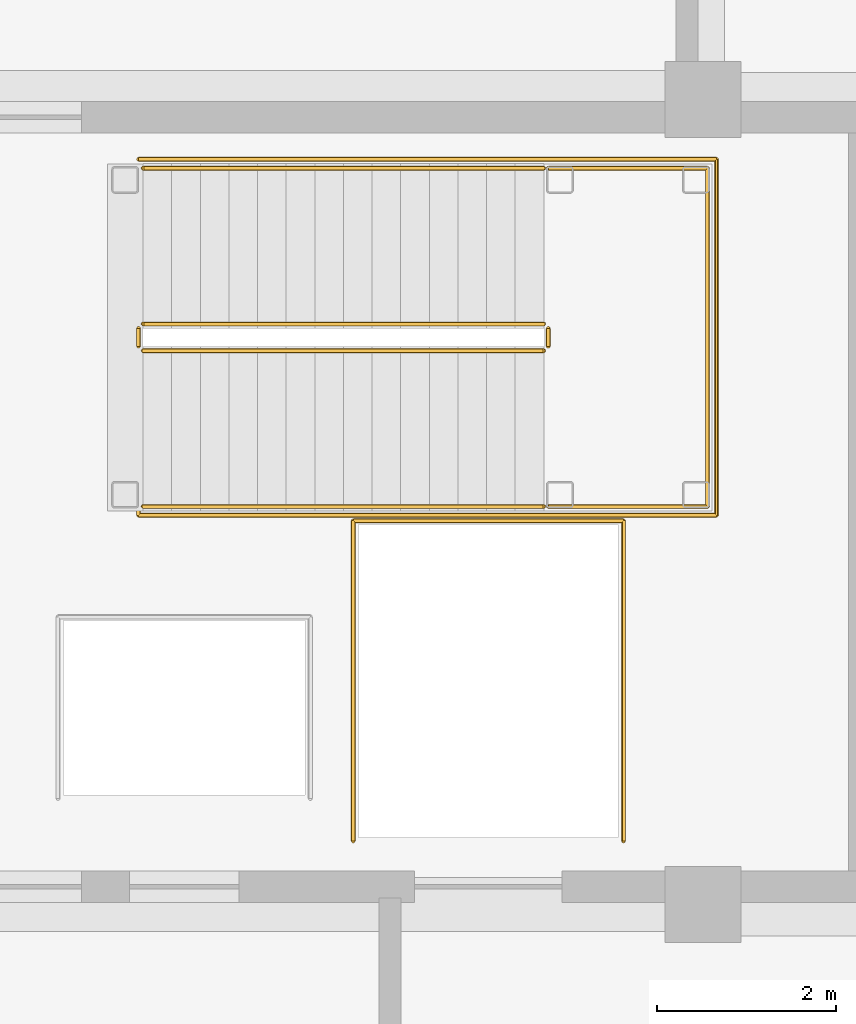
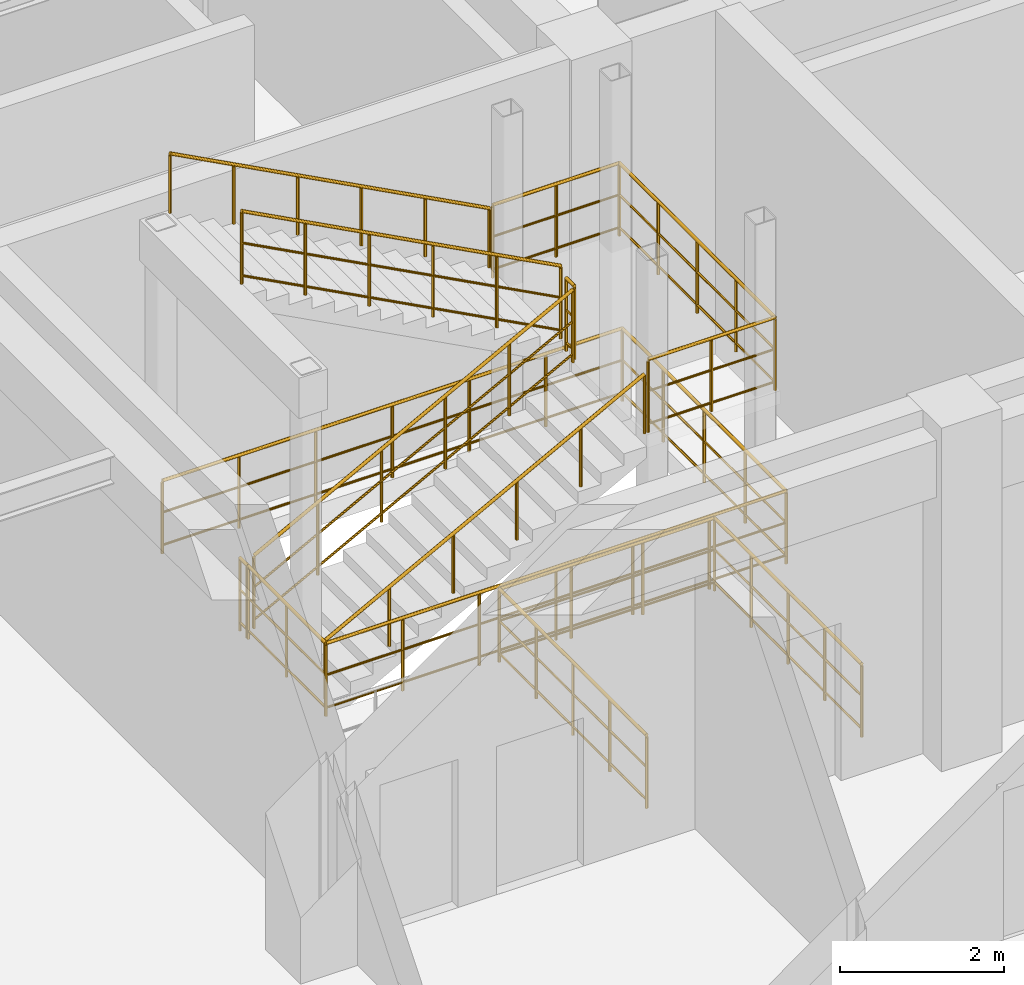
# One storey, part 125 of 128: 9 railings.
"""IFC4 building model written with IfcOpenShell, lengths in metres."""

from ifc_helpers import new_model, si_unit, direction, frame, origin, origin_2d, place, context, subcontext, project, spatial, circle, extrude, material, type_object, element, save


model = new_model("IFC4")

# Units and contexts
model_context = context("Model", 3, precision=1e-05, world=origin(), true_north=direction((0.0, 1.0)))
body_context = subcontext(model_context, "Body", "Model", "MODEL_VIEW")
ifc_project = project(units=[si_unit("LENGTHUNIT", "METRE"), si_unit("AREAUNIT", "SQUARE_METRE"), si_unit("VOLUMEUNIT", "CUBIC_METRE"), si_unit("PLANEANGLEUNIT", "RADIAN"), si_unit("MASSUNIT", "GRAM", prefix="KILO")], contexts=[model_context])

# Site, building, storey
site_placement = place(None, origin())
site = spatial("IfcSite", under=ifc_project, at=site_placement, CompositionType="ELEMENT")
building_placement = place(site_placement, origin())
building = spatial("IfcBuilding", under=site, at=building_placement, Name="Miravela Opera House", CompositionType="ELEMENT")
storey_placement = place(building_placement, origin())
storey = spatial("IfcBuildingStorey", under=building, at=storey_placement, Name="L00", CompositionType="ELEMENT", Elevation=0.0)

# Railings
ifc_material_1 = material(Name="Brushed bronze continuous stair handrail")
railing_type_1 = type_object("IfcRailingType", Name="ARC-RAIL-HAND-900", PredefinedType="HANDRAIL", material=ifc_material_1)
railing_1_placement = place(storey_placement, frame((110.739990234375, 70.449951171875, 0.169921875)))
element("IfcRailing", 1, at=railing_1_placement, inside=storey, type_object=railing_type_1, Name="L00 ST-03 stair handrail 1", PredefinedType="HANDRAIL", context=body_context, shape_type="SweptSolid", body=[
    extrude(circle(Radius=0.02392578125, at=origin_2d()), frame((0.0, 0.0, 0.8759765625), z_axis=(0.883104503341, 0.0, 0.469176338042), x_axis=(0.0, 1.0, 0.0)), (0.0, 0.0, 1.0), 5.072998046875),
    extrude(circle(Radius=0.02099609375, at=origin_2d()), origin(), (0.0, 0.0, 1.0), 0.851806640625),
    extrude(circle(Radius=0.02099609375, at=origin_2d()), frame((0.89599609375, 0.0, 0.47607421875)), (0.0, 0.0, 1.0), 0.851806640625),
    extrude(circle(Radius=0.02099609375, at=origin_2d()), frame((1.7919921875, 0.0, 0.9521484375)), (0.0, 0.0, 1.0), 0.851806640625),
    extrude(circle(Radius=0.02099609375, at=origin_2d()), frame((2.68798828125, 0.0, 1.427978515625)), (0.0, 0.0, 1.0), 0.851806640625),
    extrude(circle(Radius=0.02099609375, at=origin_2d()), frame((3.583984375, 0.0, 1.904052734375)), (0.0, 0.0, 1.0), 0.851806640625),
    extrude(circle(Radius=0.02099609375, at=origin_2d()), frame((4.47998046875, 0.0, 2.380126953125)), (0.0, 0.0, 1.0), 0.851806640625),
])
railing_2_placement = place(storey_placement, frame((115.219970703125, 74.22998046875, 2.719970703125)))
element("IfcRailing", 2, at=railing_2_placement, inside=storey, type_object=railing_type_1, Name="L00 ST-03 stair handrail 2", PredefinedType="HANDRAIL", context=body_context, shape_type="SweptSolid", body=[
    extrude(circle(Radius=0.02392578125, at=origin_2d()), frame((0.0, 0.0, 0.8759765625), z_axis=(-0.883104503341, 0.0, 0.469176338042), x_axis=(0.0, -1.0, 0.0)), (0.0, 0.0, 1.0), 5.072998046875),
    extrude(circle(Radius=0.02099609375, at=origin_2d()), origin(), (0.0, 0.0, 1.0), 0.851806640625),
    extrude(circle(Radius=0.02099609375, at=origin_2d()), frame((-0.89599609375, 0.0, 0.47607421875)), (0.0, 0.0, 1.0), 0.851806640625),
    extrude(circle(Radius=0.02099609375, at=origin_2d()), frame((-1.7919921875, 0.0, 0.9521484375)), (0.0, 0.0, 1.0), 0.851806640625),
    extrude(circle(Radius=0.02099609375, at=origin_2d()), frame((-2.68798828125, 0.0, 1.427978515625)), (0.0, 0.0, 1.0), 0.851806640625),
    extrude(circle(Radius=0.02099609375, at=origin_2d()), frame((-3.583984375, 0.0, 1.904052734375)), (0.0, 0.0, 1.0), 0.851806640625),
    extrude(circle(Radius=0.02099609375, at=origin_2d()), frame((-4.47998046875, 0.0, 2.380126953125)), (0.0, 0.0, 1.0), 0.851806640625),
])
ifc_material_2 = material(Name="Painted wrought-iron stair guardrail")
railing_type_2 = type_object("IfcRailingType", Name="ARC-RAIL-STAIR-GUARD", PredefinedType="GUARDRAIL", material=ifc_material_2)
railing_3_placement = place(storey_placement, frame((110.739990234375, 72.18994140625, 0.169921875)))
element("IfcRailing", 3, at=railing_3_placement, inside=storey, type_object=railing_type_2, Name="L00 ST-03 stair guard 1", PredefinedType="GUARDRAIL", context=body_context, shape_type="SweptSolid", body=[
    extrude(circle(Radius=0.02392578125, at=origin_2d()), frame((0.0, 0.0, 1.076171875), z_axis=(0.883104503341, 0.0, 0.469176338042), x_axis=(0.0, 1.0, 0.0)), (0.0, 0.0, 1.0), 5.072998046875),
    extrude(circle(Radius=0.01611328125, at=origin_2d()), frame((0.0, 0.0, 0.60498046875), z_axis=(0.883104503341, 0.0, 0.469176338042), x_axis=(0.0, 1.0, 0.0)), (0.0, 0.0, 1.0), 5.072998046875),
    extrude(circle(Radius=0.01611328125, at=origin_2d()), frame((0.0, 0.0, 0.1201171875), z_axis=(0.883104503341, 0.0, 0.469176338042), x_axis=(0.0, 1.0, 0.0)), (0.0, 0.0, 1.0), 5.072998046875),
    extrude(circle(Radius=0.02099609375, at=origin_2d()), origin(), (0.0, 0.0, 1.0), 1.052001953125),
    extrude(circle(Radius=0.02099609375, at=origin_2d()), frame((0.89599609375, 0.0, 0.47607421875)), (0.0, 0.0, 1.0), 1.052001953125),
    extrude(circle(Radius=0.02099609375, at=origin_2d()), frame((1.7919921875, 0.0, 0.9521484375)), (0.0, 0.0, 1.0), 1.052001953125),
    extrude(circle(Radius=0.02099609375, at=origin_2d()), frame((2.68798828125, 0.0, 1.427978515625)), (0.0, 0.0, 1.0), 1.052001953125),
    extrude(circle(Radius=0.02099609375, at=origin_2d()), frame((3.583984375, 0.0, 1.904052734375)), (0.0, 0.0, 1.0), 1.052001953125),
    extrude(circle(Radius=0.02099609375, at=origin_2d()), frame((4.47998046875, 0.0, 2.380126953125)), (0.0, 0.0, 1.0), 1.052001953125),
])
railing_4_placement = place(storey_placement, frame((115.27001953125, 72.239990234375, 2.550048828125)))
element("IfcRailing", 4, at=railing_4_placement, inside=storey, type_object=railing_type_2, Name="L00 ST-03 stair guard 2", PredefinedType="GUARDRAIL", context=body_context, shape_type="SweptSolid", body=[
    extrude(circle(Radius=0.02392578125, at=origin_2d()), frame((0.0, 0.0, 1.076171875), z_axis=(0.0, 1.0, 0.0), x_axis=(-1.0, 0.0, 0.0)), (0.0, 0.0, 1.0), 0.199951171875),
    extrude(circle(Radius=0.01611328125, at=origin_2d()), frame((0.0, 0.0, 0.60498046875), z_axis=(0.0, 1.0, 0.0), x_axis=(-1.0, 0.0, 0.0)), (0.0, 0.0, 1.0), 0.199951171875),
    extrude(circle(Radius=0.01611328125, at=origin_2d()), frame((0.0, 0.0, 0.1201171875), z_axis=(0.0, 1.0, 0.0), x_axis=(-1.0, 0.0, 0.0)), (0.0, 0.0, 1.0), 0.199951171875),
    extrude(circle(Radius=0.02099609375, at=origin_2d()), origin(), (0.0, 0.0, 1.0), 1.052001953125),
    extrude(circle(Radius=0.02099609375, at=origin_2d()), frame((0.0, 0.199951171875, 0.0)), (0.0, 0.0, 1.0), 1.052001953125),
])
railing_5_placement = place(storey_placement, frame((115.219970703125, 72.489990234375, 2.719970703125)))
element("IfcRailing", 5, at=railing_5_placement, inside=storey, type_object=railing_type_2, Name="L00 ST-03 stair guard 3", PredefinedType="GUARDRAIL", context=body_context, shape_type="SweptSolid", body=[
    extrude(circle(Radius=0.02392578125, at=origin_2d()), frame((0.0, 0.0, 1.076171875), z_axis=(-0.883104503341, 0.0, 0.469176338042), x_axis=(0.0, -1.0, 0.0)), (0.0, 0.0, 1.0), 5.072998046875),
    extrude(circle(Radius=0.01611328125, at=origin_2d()), frame((0.0, 0.0, 0.60498046875), z_axis=(-0.883104503341, 0.0, 0.469176338042), x_axis=(0.0, -1.0, 0.0)), (0.0, 0.0, 1.0), 5.072998046875),
    extrude(circle(Radius=0.01611328125, at=origin_2d()), frame((0.0, 0.0, 0.1201171875), z_axis=(-0.883104503341, 0.0, 0.469176338042), x_axis=(0.0, -1.0, 0.0)), (0.0, 0.0, 1.0), 5.072998046875),
    extrude(circle(Radius=0.02099609375, at=origin_2d()), origin(), (0.0, 0.0, 1.0), 1.052001953125),
    extrude(circle(Radius=0.02099609375, at=origin_2d()), frame((-0.89599609375, 0.0, 0.47607421875)), (0.0, 0.0, 1.0), 1.052001953125),
    extrude(circle(Radius=0.02099609375, at=origin_2d()), frame((-1.7919921875, 0.0, 0.9521484375)), (0.0, 0.0, 1.0), 1.052001953125),
    extrude(circle(Radius=0.02099609375, at=origin_2d()), frame((-2.68798828125, 0.0, 1.427978515625)), (0.0, 0.0, 1.0), 1.052001953125),
    extrude(circle(Radius=0.02099609375, at=origin_2d()), frame((-3.583984375, 0.0, 1.904052734375)), (0.0, 0.0, 1.0), 1.052001953125),
    extrude(circle(Radius=0.02099609375, at=origin_2d()), frame((-4.47998046875, 0.0, 2.380126953125)), (0.0, 0.0, 1.0), 1.052001953125),
])
railing_6_placement = place(storey_placement, frame((110.68994140625, 72.239990234375, 0.0)))
element("IfcRailing", 6, at=railing_6_placement, inside=storey, type_object=railing_type_2, Name="L00 ST-03 stair guard 4", PredefinedType="GUARDRAIL", context=body_context, shape_type="SweptSolid", body=[
    extrude(circle(Radius=0.02392578125, at=origin_2d()), frame((0.0, 0.0, 1.076171875), z_axis=(0.0, 1.0, 0.0), x_axis=(-1.0, 0.0, 0.0)), (0.0, 0.0, 1.0), 0.199951171875),
    extrude(circle(Radius=0.01611328125, at=origin_2d()), frame((0.0, 0.0, 0.60498046875), z_axis=(0.0, 1.0, 0.0), x_axis=(-1.0, 0.0, 0.0)), (0.0, 0.0, 1.0), 0.199951171875),
    extrude(circle(Radius=0.01611328125, at=origin_2d()), frame((0.0, 0.0, 0.1201171875), z_axis=(0.0, 1.0, 0.0), x_axis=(-1.0, 0.0, 0.0)), (0.0, 0.0, 1.0), 0.199951171875),
    extrude(circle(Radius=0.02099609375, at=origin_2d()), origin(), (0.0, 0.0, 1.0), 1.052001953125),
    extrude(circle(Radius=0.02099609375, at=origin_2d()), frame((0.0, 0.199951171875, 0.0)), (0.0, 0.0, 1.0), 1.052001953125),
])
railing_7_placement = place(storey_placement, frame((115.27001953125, 70.449951171875, 2.550048828125)))
element("IfcRailing", 7, at=railing_7_placement, inside=storey, type_object=railing_type_2, Name="Stair ST-03 Half-Landing Perimeter Guard (L00) 0026", PredefinedType="GUARDRAIL", context=body_context, shape_type="SweptSolid", body=[
    extrude(circle(Radius=0.02392578125, at=origin_2d()), frame((0.0, 0.0, 1.076171875), z_axis=(1.0, 0.0, 0.0), x_axis=(0.0, 1.0, 0.0)), (0.0, 0.0, 1.0), 1.780029296875),
    extrude(circle(Radius=0.01611328125, at=origin_2d()), frame((0.0, 0.0, 0.60498046875), z_axis=(1.0, 0.0, 0.0), x_axis=(0.0, 1.0, 0.0)), (0.0, 0.0, 1.0), 1.780029296875),
    extrude(circle(Radius=0.01611328125, at=origin_2d()), frame((0.0, 0.0, 0.1201171875), z_axis=(1.0, 0.0, 0.0), x_axis=(0.0, 1.0, 0.0)), (0.0, 0.0, 1.0), 1.780029296875),
    extrude(circle(Radius=0.02392578125, at=origin_2d()), frame((1.780029296875, 0.0, 1.076171875), z_axis=(0.0, 1.0, 0.0), x_axis=(-1.0, 0.0, 0.0)), (0.0, 0.0, 1.0), 3.780029296875),
    extrude(circle(Radius=0.01611328125, at=origin_2d()), frame((1.780029296875, 0.0, 0.60498046875), z_axis=(0.0, 1.0, 0.0), x_axis=(-1.0, 0.0, 0.0)), (0.0, 0.0, 1.0), 3.780029296875),
    extrude(circle(Radius=0.01611328125, at=origin_2d()), frame((1.780029296875, 0.0, 0.1201171875), z_axis=(0.0, 1.0, 0.0), x_axis=(-1.0, 0.0, 0.0)), (0.0, 0.0, 1.0), 3.780029296875),
    extrude(circle(Radius=0.02392578125, at=origin_2d()), frame((1.780029296875, 3.780029296875, 1.076171875), z_axis=(-1.0, 0.0, 0.0), x_axis=(0.0, -1.0, 0.0)), (0.0, 0.0, 1.0), 1.780029296875),
    extrude(circle(Radius=0.01611328125, at=origin_2d()), frame((1.780029296875, 3.780029296875, 0.60498046875), z_axis=(-1.0, 0.0, 0.0), x_axis=(0.0, -1.0, 0.0)), (0.0, 0.0, 1.0), 1.780029296875),
    extrude(circle(Radius=0.01611328125, at=origin_2d()), frame((1.780029296875, 3.780029296875, 0.1201171875), z_axis=(-1.0, 0.0, 0.0), x_axis=(0.0, -1.0, 0.0)), (0.0, 0.0, 1.0), 1.780029296875),
    extrude(circle(Radius=0.02099609375, at=origin_2d()), origin(), (0.0, 0.0, 1.0), 1.052001953125),
    extrude(circle(Radius=0.02099609375, at=origin_2d()), frame((0.89013671875, 0.0, 0.0)), (0.0, 0.0, 1.0), 1.052001953125),
    extrude(circle(Radius=0.02099609375, at=origin_2d()), frame((1.780029296875, 0.0, 0.0)), (0.0, 0.0, 1.0), 1.052001953125),
    extrude(circle(Radius=0.02099609375, at=origin_2d()), frame((1.780029296875, 0.945068359375, 0.0)), (0.0, 0.0, 1.0), 1.052001953125),
    extrude(circle(Radius=0.02099609375, at=origin_2d()), frame((1.780029296875, 1.89013671875, 0.0)), (0.0, 0.0, 1.0), 1.052001953125),
    extrude(circle(Radius=0.02099609375, at=origin_2d()), frame((1.780029296875, 2.8349609375, 0.0)), (0.0, 0.0, 1.0), 1.052001953125),
    extrude(circle(Radius=0.02099609375, at=origin_2d()), frame((1.780029296875, 3.780029296875, 0.0)), (0.0, 0.0, 1.0), 1.052001953125),
    extrude(circle(Radius=0.02099609375, at=origin_2d()), frame((0.89013671875, 3.780029296875, 0.0)), (0.0, 0.0, 1.0), 1.052001953125),
    extrude(circle(Radius=0.02099609375, at=origin_2d()), frame((0.0, 3.780029296875, 0.0)), (0.0, 0.0, 1.0), 1.052001953125),
])
railing_8_placement = place(storey_placement, frame((110.68994140625, 72.27001953125, 0.0)))
element("IfcRailing", 8, at=railing_8_placement, inside=storey, type_object=railing_type_2, Name="Stair ST-03 Well Slab Opening Guard (L00) 0031", PredefinedType="GUARDRAIL", context=body_context, shape_type="SweptSolid", body=[
    extrude(circle(Radius=0.02392578125, at=origin_2d()), frame((0.0, 0.0, 1.076171875), z_axis=(0.0, -1.0, 0.0), x_axis=(1.0, 0.0, 0.0)), (0.0, 0.0, 1.0), 1.919921875),
    extrude(circle(Radius=0.01611328125, at=origin_2d()), frame((0.0, 0.0, 0.60498046875), z_axis=(0.0, -1.0, 0.0), x_axis=(1.0, 0.0, 0.0)), (0.0, 0.0, 1.0), 1.919921875),
    extrude(circle(Radius=0.01611328125, at=origin_2d()), frame((0.0, 0.0, 0.1201171875), z_axis=(0.0, -1.0, 0.0), x_axis=(1.0, 0.0, 0.0)), (0.0, 0.0, 1.0), 1.919921875),
    extrude(circle(Radius=0.02392578125, at=origin_2d()), frame((0.0, -1.919921875, 1.076171875), z_axis=(1.0, 0.0, 0.0), x_axis=(0.0, 1.0, 0.0)), (0.0, 0.0, 1.0), 6.4599609375),
    extrude(circle(Radius=0.01611328125, at=origin_2d()), frame((0.0, -1.919921875, 0.60498046875), z_axis=(1.0, 0.0, 0.0), x_axis=(0.0, 1.0, 0.0)), (0.0, 0.0, 1.0), 6.4599609375),
    extrude(circle(Radius=0.01611328125, at=origin_2d()), frame((0.0, -1.919921875, 0.1201171875), z_axis=(1.0, 0.0, 0.0), x_axis=(0.0, 1.0, 0.0)), (0.0, 0.0, 1.0), 6.4599609375),
    extrude(circle(Radius=0.02392578125, at=origin_2d()), frame((6.4599609375, -1.919921875, 1.076171875), z_axis=(0.0, 1.0, 0.0), x_axis=(-1.0, 0.0, 0.0)), (0.0, 0.0, 1.0), 3.97998046875),
    extrude(circle(Radius=0.01611328125, at=origin_2d()), frame((6.4599609375, -1.919921875, 0.60498046875), z_axis=(0.0, 1.0, 0.0), x_axis=(-1.0, 0.0, 0.0)), (0.0, 0.0, 1.0), 3.97998046875),
    extrude(circle(Radius=0.01611328125, at=origin_2d()), frame((6.4599609375, -1.919921875, 0.1201171875), z_axis=(0.0, 1.0, 0.0), x_axis=(-1.0, 0.0, 0.0)), (0.0, 0.0, 1.0), 3.97998046875),
    extrude(circle(Radius=0.02392578125, at=origin_2d()), frame((6.4599609375, 2.06005859375, 1.076171875), z_axis=(-1.0, 0.0, 0.0), x_axis=(0.0, -1.0, 0.0)), (0.0, 0.0, 1.0), 6.4599609375),
    extrude(circle(Radius=0.01611328125, at=origin_2d()), frame((6.4599609375, 2.06005859375, 0.60498046875), z_axis=(-1.0, 0.0, 0.0), x_axis=(0.0, -1.0, 0.0)), (0.0, 0.0, 1.0), 6.4599609375),
    extrude(circle(Radius=0.01611328125, at=origin_2d()), frame((6.4599609375, 2.06005859375, 0.1201171875), z_axis=(-1.0, 0.0, 0.0), x_axis=(0.0, -1.0, 0.0)), (0.0, 0.0, 1.0), 6.4599609375),
    extrude(circle(Radius=0.02099609375, at=origin_2d()), origin(), (0.0, 0.0, 1.0), 1.052001953125),
    extrude(circle(Radius=0.02099609375, at=origin_2d()), frame((0.0, -0.9599609375, 0.0)), (0.0, 0.0, 1.0), 1.052001953125),
    extrude(circle(Radius=0.02099609375, at=origin_2d()), frame((0.0, -1.919921875, 0.0)), (0.0, 0.0, 1.0), 1.052001953125),
    extrude(circle(Radius=0.02099609375, at=origin_2d()), frame((1.07666015625, -1.919921875, 0.0)), (0.0, 0.0, 1.0), 1.052001953125),
    extrude(circle(Radius=0.02099609375, at=origin_2d()), frame((2.1533203125, -1.919921875, 0.0)), (0.0, 0.0, 1.0), 1.052001953125),
    extrude(circle(Radius=0.02099609375, at=origin_2d()), frame((3.22998046875, -1.919921875, 0.0)), (0.0, 0.0, 1.0), 1.052001953125),
    extrude(circle(Radius=0.02099609375, at=origin_2d()), frame((4.306640625, -1.919921875, 0.0)), (0.0, 0.0, 1.0), 1.052001953125),
    extrude(circle(Radius=0.02099609375, at=origin_2d()), frame((5.38330078125, -1.919921875, 0.0)), (0.0, 0.0, 1.0), 1.052001953125),
    extrude(circle(Radius=0.02099609375, at=origin_2d()), frame((6.4599609375, -1.919921875, 0.0)), (0.0, 0.0, 1.0), 1.052001953125),
    extrude(circle(Radius=0.02099609375, at=origin_2d()), frame((6.4599609375, -0.9248046875, 0.0)), (0.0, 0.0, 1.0), 1.052001953125),
    extrude(circle(Radius=0.02099609375, at=origin_2d()), frame((6.4599609375, 0.070068359375, 0.0)), (0.0, 0.0, 1.0), 1.052001953125),
    extrude(circle(Radius=0.02099609375, at=origin_2d()), frame((6.4599609375, 1.06494140625, 0.0)), (0.0, 0.0, 1.0), 1.052001953125),
    extrude(circle(Radius=0.02099609375, at=origin_2d()), frame((6.4599609375, 2.06005859375, 0.0)), (0.0, 0.0, 1.0), 1.052001953125),
    extrude(circle(Radius=0.02099609375, at=origin_2d()), frame((5.38330078125, 2.06005859375, 0.0)), (0.0, 0.0, 1.0), 1.052001953125),
    extrude(circle(Radius=0.02099609375, at=origin_2d()), frame((4.306640625, 2.06005859375, 0.0)), (0.0, 0.0, 1.0), 1.052001953125),
    extrude(circle(Radius=0.02099609375, at=origin_2d()), frame((3.22998046875, 2.06005859375, 0.0)), (0.0, 0.0, 1.0), 1.052001953125),
    extrude(circle(Radius=0.02099609375, at=origin_2d()), frame((2.1533203125, 2.06005859375, 0.0)), (0.0, 0.0, 1.0), 1.052001953125),
    extrude(circle(Radius=0.02099609375, at=origin_2d()), frame((1.07666015625, 2.06005859375, 0.0)), (0.0, 0.0, 1.0), 1.052001953125),
    extrude(circle(Radius=0.02099609375, at=origin_2d()), frame((0.0, 2.06005859375, 0.0)), (0.0, 0.0, 1.0), 1.052001953125),
])
railing_9_placement = place(storey_placement, frame((113.090087890625, 66.7099609375, 0.0)))
element("IfcRailing", 9, at=railing_9_placement, inside=storey, type_object=railing_type_2, Name="Lift FL-01 Hoistway Slab Opening Guard (L00) 0123", PredefinedType="GUARDRAIL", context=body_context, shape_type="SweptSolid", body=[
    extrude(circle(Radius=0.02392578125, at=origin_2d()), frame((0.0, 0.0, 1.076171875), z_axis=(0.0, 1.0, 0.0), x_axis=(-1.0, 0.0, 0.0)), (0.0, 0.0, 1.0), 3.580078125),
    extrude(circle(Radius=0.01611328125, at=origin_2d()), frame((0.0, 0.0, 0.60498046875), z_axis=(0.0, 1.0, 0.0), x_axis=(-1.0, 0.0, 0.0)), (0.0, 0.0, 1.0), 3.580078125),
    extrude(circle(Radius=0.01611328125, at=origin_2d()), frame((0.0, 0.0, 0.1201171875), z_axis=(0.0, 1.0, 0.0), x_axis=(-1.0, 0.0, 0.0)), (0.0, 0.0, 1.0), 3.580078125),
    extrude(circle(Radius=0.02392578125, at=origin_2d()), frame((0.0, 3.580078125, 1.076171875), z_axis=(1.0, 0.0, 0.0), x_axis=(0.0, 1.0, 0.0)), (0.0, 0.0, 1.0), 3.02001953125),
    extrude(circle(Radius=0.01611328125, at=origin_2d()), frame((0.0, 3.580078125, 0.60498046875), z_axis=(1.0, 0.0, 0.0), x_axis=(0.0, 1.0, 0.0)), (0.0, 0.0, 1.0), 3.02001953125),
    extrude(circle(Radius=0.01611328125, at=origin_2d()), frame((0.0, 3.580078125, 0.1201171875), z_axis=(1.0, 0.0, 0.0), x_axis=(0.0, 1.0, 0.0)), (0.0, 0.0, 1.0), 3.02001953125),
    extrude(circle(Radius=0.02392578125, at=origin_2d()), frame((3.02001953125, 3.580078125, 1.076171875), z_axis=(0.0, -1.0, 0.0), x_axis=(1.0, 0.0, 0.0)), (0.0, 0.0, 1.0), 3.580078125),
    extrude(circle(Radius=0.01611328125, at=origin_2d()), frame((3.02001953125, 3.580078125, 0.60498046875), z_axis=(0.0, -1.0, 0.0), x_axis=(1.0, 0.0, 0.0)), (0.0, 0.0, 1.0), 3.580078125),
    extrude(circle(Radius=0.01611328125, at=origin_2d()), frame((3.02001953125, 3.580078125, 0.1201171875), z_axis=(0.0, -1.0, 0.0), x_axis=(1.0, 0.0, 0.0)), (0.0, 0.0, 1.0), 3.580078125),
    extrude(circle(Radius=0.02099609375, at=origin_2d()), origin(), (0.0, 0.0, 1.0), 1.052001953125),
    extrude(circle(Radius=0.02099609375, at=origin_2d()), frame((0.0, 0.89501953125, 0.0)), (0.0, 0.0, 1.0), 1.052001953125),
    extrude(circle(Radius=0.02099609375, at=origin_2d()), frame((0.0, 1.7900390625, 0.0)), (0.0, 0.0, 1.0), 1.052001953125),
    extrude(circle(Radius=0.02099609375, at=origin_2d()), frame((0.0, 2.68505859375, 0.0)), (0.0, 0.0, 1.0), 1.052001953125),
    extrude(circle(Radius=0.02099609375, at=origin_2d()), frame((0.0, 3.580078125, 0.0)), (0.0, 0.0, 1.0), 1.052001953125),
    extrude(circle(Radius=0.02099609375, at=origin_2d()), frame((1.006591796875, 3.580078125, 0.0)), (0.0, 0.0, 1.0), 1.052001953125),
    extrude(circle(Radius=0.02099609375, at=origin_2d()), frame((2.013427734375, 3.580078125, 0.0)), (0.0, 0.0, 1.0), 1.052001953125),
    extrude(circle(Radius=0.02099609375, at=origin_2d()), frame((3.02001953125, 3.580078125, 0.0)), (0.0, 0.0, 1.0), 1.052001953125),
    extrude(circle(Radius=0.02099609375, at=origin_2d()), frame((3.02001953125, 2.68505859375, 0.0)), (0.0, 0.0, 1.0), 1.052001953125),
    extrude(circle(Radius=0.02099609375, at=origin_2d()), frame((3.02001953125, 1.7900390625, 0.0)), (0.0, 0.0, 1.0), 1.052001953125),
    extrude(circle(Radius=0.02099609375, at=origin_2d()), frame((3.02001953125, 0.89501953125, 0.0)), (0.0, 0.0, 1.0), 1.052001953125),
    extrude(circle(Radius=0.02099609375, at=origin_2d()), frame((3.02001953125, 0.0, 0.0)), (0.0, 0.0, 1.0), 1.052001953125),
])

save(model, "model.ifc")
